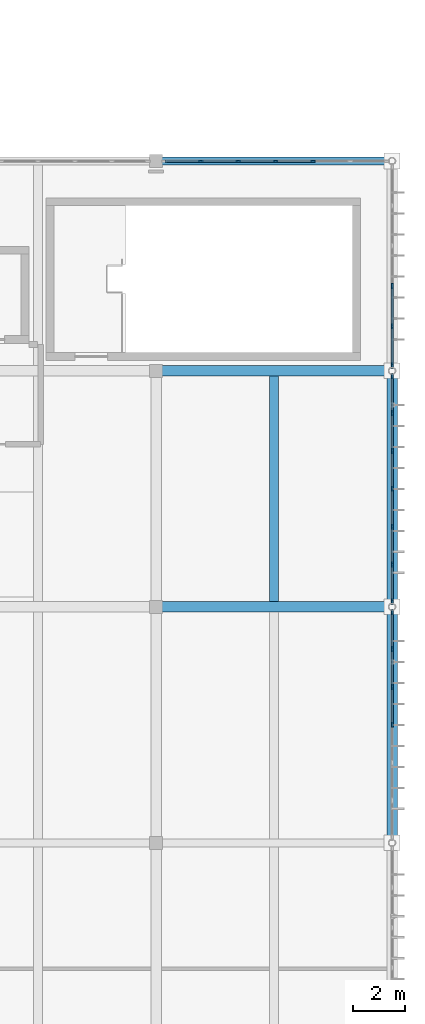
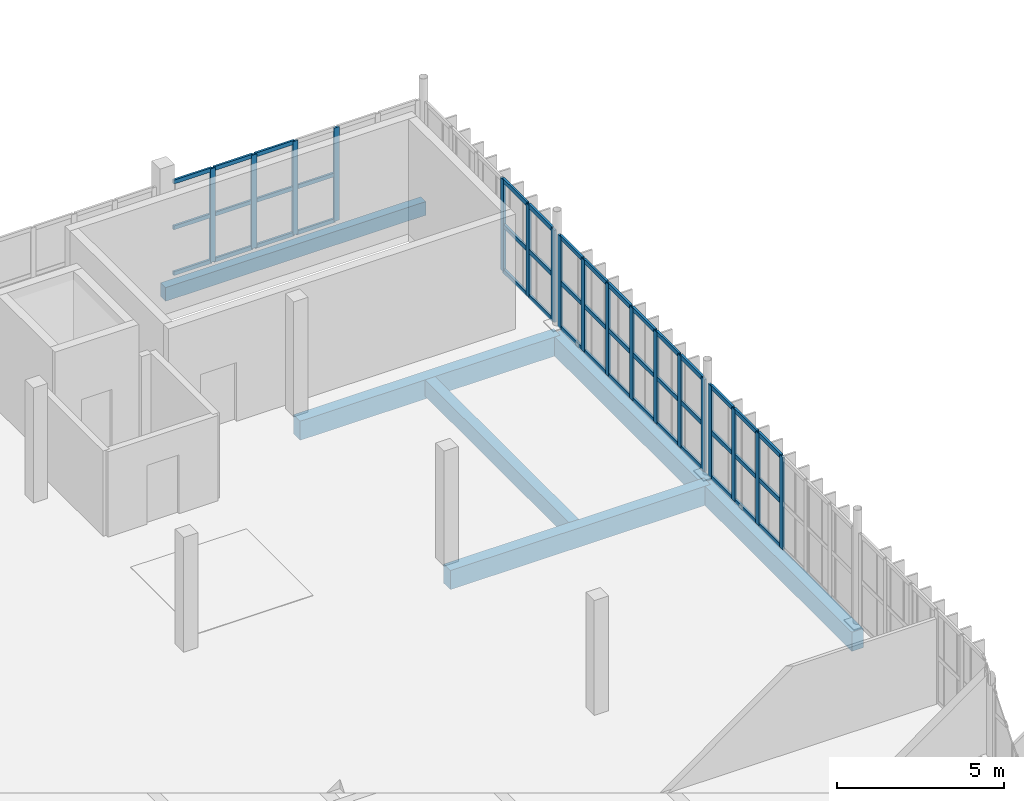
# One storey, part 29 of 61: 62 members, 6 beams, 4 elements without a shape of their own.
"""IFC4 building model written with IfcOpenShell, lengths in metres."""

from ifc_helpers import new_model, si_unit, direction, frame, origin, origin_2d, place, context, subcontext, project, spatial, rectangle, extrude, material, material_profile, profile_set, type_object, element, aggregate, save


model = new_model("IFC4")

# Units and contexts
model_context = context("Model", 3, precision=1e-05, world=origin(), true_north=direction((0.0, 1.0)))
body_context = subcontext(model_context, "Body", "Model", "MODEL_VIEW")
ifc_project = project(units=[si_unit("LENGTHUNIT", "METRE"), si_unit("AREAUNIT", "SQUARE_METRE"), si_unit("VOLUMEUNIT", "CUBIC_METRE"), si_unit("PLANEANGLEUNIT", "RADIAN"), si_unit("MASSUNIT", "GRAM", prefix="KILO")], contexts=[model_context])

# Site, building, storey
site_placement = place(None, origin())
site = spatial("IfcSite", under=ifc_project, at=site_placement, CompositionType="ELEMENT")
building_placement = place(site_placement, origin())
building = spatial("IfcBuilding", under=site, at=building_placement, Name="Vourika Railside Aquatics Centre", CompositionType="ELEMENT")
storey_placement = place(building_placement, frame((0.0, 0.0, 9.300048828125)))
storey = spatial("IfcBuildingStorey", under=building, at=storey_placement, Name="L02", CompositionType="ELEMENT", Elevation=9.300048828125)

# Beams
ifc_material_1 = material(Name="Concrete C35/45", Category="concrete")
ifc_material_profile_1 = material_profile(ifc_material_1, rectangle(XDim=0.39990234375, YDim=0.699951171875, at=origin_2d()), Name="RC 400x700")
ifc_profile_set_1 = profile_set([ifc_material_profile_1], Name="Concrete C35/45")
beam_type_1 = type_object("IfcBeamType", Name="BM-GIRD-400x700", PredefinedType="BEAM", material=ifc_profile_set_1)
for number, where, z_axis, x_axis, name in (
    (1, (159.0, 75.0, -0.630126953125), (1.0, 0.0, 0.0), (0.0, 1.0, 0.0), "Floor Beam GX-L02-078"),
    (2, (159.0, 84.0, -0.630126953125), (1.0, 0.0, 0.0), (0.0, 1.0, 0.0), "Floor Beam GX-L02-083"),
    (3, (168.0, 66.0, -0.630126953125), (0.0, 1.0, 0.0), (-1.0, 0.0, 0.0), "Floor Girder GY-L02-284"),
    (4, (168.0, 75.0, -0.630126953125), (0.0, 1.0, 0.0), (-1.0, 0.0, 0.0), "Floor Girder GY-L02-285"),
):
    element("IfcBeam", number, at=place(storey_placement, frame(where, z_axis=z_axis, x_axis=x_axis)), inside=storey, type_object=beam_type_1, Name=name, PredefinedType="BEAM", context=body_context, shape_type="SweptSolid", body=[
        extrude(rectangle(XDim=0.39990234375, YDim=0.699951171875, at=origin_2d()), origin(), (0.0, 0.0, 1.0), 9.0),
    ])
ifc_material_profile_2 = material_profile(ifc_material_1, rectangle(XDim=0.35009765625, YDim=0.60009765625, at=origin_2d()), Name="RC 350x600")
ifc_profile_set_2 = profile_set([ifc_material_profile_2], Name="Concrete C35/45")
beam_type_2 = type_object("IfcBeamType", Name="BM-SEC-350x600", PredefinedType="JOIST", material=ifc_profile_set_2)
beam_1_placement = place(storey_placement, frame((163.5, 75.199951171875, -0.580078125), z_axis=(0.0, 1.0, 0.0), x_axis=(-1.0, 0.0, 0.0)))
element("IfcBeam", 5, at=beam_1_placement, inside=storey, type_object=beam_type_2, Name="Secondary Joist JY-L02-329", PredefinedType="JOIST", context=body_context, shape_type="SweptSolid", body=[
    extrude(rectangle(XDim=0.35009765625, YDim=0.60009765625, at=origin_2d()), origin(), (0.0, 0.0, 1.0), 8.60009765625),
])
ifc_material_profile_3 = material_profile(ifc_material_1, rectangle(XDim=0.300048828125, YDim=0.5, at=origin_2d()), Name="RC 300x500")
ifc_profile_set_3 = profile_set([ifc_material_profile_3], Name="Concrete C35/45")
beam_type_3 = type_object("IfcBeamType", Name="BM-SPAN-300x500", PredefinedType="SPANDREL", material=ifc_profile_set_3)
beam_2_placement = place(storey_placement, frame((159.0, 92.0, -0.530029296875), z_axis=(1.0, 0.0, 0.0), x_axis=(0.0, 1.0, 0.0)))
element("IfcBeam", 6, at=beam_2_placement, inside=storey, type_object=beam_type_3, Name="Floor Beam GX-L02-102", PredefinedType="SPANDREL", context=body_context, shape_type="SweptSolid", body=[
    extrude(rectangle(XDim=0.300048828125, YDim=0.5, at=origin_2d()), origin(), (0.0, 0.0, 1.0), 9.0),
])

# Curtain wall, members
ifc_material_2 = material(Name="Anodized thermally broken aluminium", Category="aluminium")
curtain_wall_type_1 = type_object("IfcCurtainWallType", Name="CW-FOYE", PredefinedType="NOTDEFINED", material=ifc_material_2)
curtain_wall_1_placement = place(storey_placement, origin())
curtain_wall_1 = element("IfcCurtainWall", 7, at=curtain_wall_1_placement, inside=storey, type_object=curtain_wall_type_1, Name="East Arrival Facade Curtain Wall L02-4", PredefinedType="NOTDEFINED")
ifc_material_3 = material(Name="Anodized aluminium mullion", Category="aluminium")
ifc_material_profile_4 = material_profile(ifc_material_3, rectangle(XDim=0.074951171875, YDim=0.199951171875, at=origin_2d()), Name="ALU-M 75x200")
ifc_profile_set_4 = profile_set([ifc_material_profile_4], Name="Anodized aluminium mullion")
member_type_1 = type_object("IfcMemberType", Name="CWM-FOYE", PredefinedType="MULLION", material=ifc_profile_set_4)
member_1_placement = place(storey_placement, frame((168.0, 70.5, 0.0), z_axis=(0.0, 0.0, 1.0), x_axis=(-1.0, 0.0, 0.0)))
member_1 = element("IfcMember", 8, at=member_1_placement, type_object=member_type_1, Name="CW10 mullion 4", PredefinedType="MULLION", context=body_context, shape_type="SweptSolid", body=[
    extrude(rectangle(XDim=0.074951171875, YDim=0.199951171875, at=origin_2d()), origin(), (0.0, 0.0, 1.0), 3.369873046875),
])
member_2_placement = place(storey_placement, frame((168.0, 71.944580078125, 0.0), z_axis=(0.0, 0.0, 1.0), x_axis=(-1.0, 0.0, 0.0)))
member_2 = element("IfcMember", 9, at=member_2_placement, type_object=member_type_1, Name="CW10 mullion 5", PredefinedType="MULLION", context=body_context, shape_type="SweptSolid", body=[
    extrude(rectangle(XDim=0.074951171875, YDim=0.199951171875, at=origin_2d()), origin(), (0.0, 0.0, 1.0), 3.369873046875),
])
member_3_placement = place(storey_placement, frame((168.0, 73.388916015625, 0.0), z_axis=(0.0, 0.0, 1.0), x_axis=(-1.0, 0.0, 0.0)))
member_3 = element("IfcMember", 10, at=member_3_placement, type_object=member_type_1, Name="CW10 mullion 6", PredefinedType="MULLION", context=body_context, shape_type="SweptSolid", body=[
    extrude(rectangle(XDim=0.074951171875, YDim=0.199951171875, at=origin_2d()), origin(), (0.0, 0.0, 1.0), 3.369873046875),
])
member_4_placement = place(storey_placement, frame((168.0, 74.7958984375, 0.0), z_axis=(0.0, 0.0, 1.0), x_axis=(-1.0, 0.0, 0.0)))
member_4 = element("IfcMember", 11, at=member_4_placement, type_object=member_type_1, Name="CW10 mullion 7", PredefinedType="MULLION", context=body_context, shape_type="SweptSolid", body=[
    extrude(rectangle(XDim=0.074951171875, YDim=0.199951171875, at=origin_2d()), origin(), (0.0, 0.0, 1.0), 3.369873046875),
])

curtain_wall_2_placement = place(storey_placement, origin())
curtain_wall_2 = element("IfcCurtainWall", 12, at=curtain_wall_2_placement, inside=storey, type_object=curtain_wall_type_1, Name="East Arrival Facade Curtain Wall L02-5", PredefinedType="NOTDEFINED")
member_5_placement = place(storey_placement, frame((168.0, 75.2041015625, 0.0), z_axis=(0.0, 0.0, 1.0), x_axis=(-1.0, 0.0, 0.0)))
member_5 = element("IfcMember", 13, at=member_5_placement, type_object=member_type_1, Name="CW10 mullion 1", PredefinedType="MULLION", context=body_context, shape_type="SweptSolid", body=[
    extrude(rectangle(XDim=0.074951171875, YDim=0.199951171875, at=origin_2d()), origin(), (0.0, 0.0, 1.0), 3.369873046875),
])
member_6_placement = place(storey_placement, frame((168.0, 76.611083984375, 0.0), z_axis=(0.0, 0.0, 1.0), x_axis=(-1.0, 0.0, 0.0)))
member_6 = element("IfcMember", 14, at=member_6_placement, type_object=member_type_1, Name="CW10 mullion 2", PredefinedType="MULLION", context=body_context, shape_type="SweptSolid", body=[
    extrude(rectangle(XDim=0.074951171875, YDim=0.199951171875, at=origin_2d()), origin(), (0.0, 0.0, 1.0), 3.369873046875),
])
member_7_placement = place(storey_placement, frame((168.0, 78.055419921875, 0.0), z_axis=(0.0, 0.0, 1.0), x_axis=(-1.0, 0.0, 0.0)))
member_7 = element("IfcMember", 15, at=member_7_placement, type_object=member_type_1, Name="CW10 mullion 3", PredefinedType="MULLION", context=body_context, shape_type="SweptSolid", body=[
    extrude(rectangle(XDim=0.074951171875, YDim=0.199951171875, at=origin_2d()), origin(), (0.0, 0.0, 1.0), 3.369873046875),
])
member_8_placement = place(storey_placement, frame((168.0, 79.5, 0.0), z_axis=(0.0, 0.0, 1.0), x_axis=(-1.0, 0.0, 0.0)))
member_8 = element("IfcMember", 16, at=member_8_placement, type_object=member_type_1, Name="CW10 mullion 4", PredefinedType="MULLION", context=body_context, shape_type="SweptSolid", body=[
    extrude(rectangle(XDim=0.074951171875, YDim=0.199951171875, at=origin_2d()), origin(), (0.0, 0.0, 1.0), 3.369873046875),
])
member_9_placement = place(storey_placement, frame((168.0, 80.944580078125, 0.0), z_axis=(0.0, 0.0, 1.0), x_axis=(-1.0, 0.0, 0.0)))
member_9 = element("IfcMember", 17, at=member_9_placement, type_object=member_type_1, Name="CW10 mullion 5", PredefinedType="MULLION", context=body_context, shape_type="SweptSolid", body=[
    extrude(rectangle(XDim=0.074951171875, YDim=0.199951171875, at=origin_2d()), origin(), (0.0, 0.0, 1.0), 3.369873046875),
])
member_10_placement = place(storey_placement, frame((168.0, 82.388916015625, 0.0), z_axis=(0.0, 0.0, 1.0), x_axis=(-1.0, 0.0, 0.0)))
member_10 = element("IfcMember", 18, at=member_10_placement, type_object=member_type_1, Name="CW10 mullion 6", PredefinedType="MULLION", context=body_context, shape_type="SweptSolid", body=[
    extrude(rectangle(XDim=0.074951171875, YDim=0.199951171875, at=origin_2d()), origin(), (0.0, 0.0, 1.0), 3.369873046875),
])
member_11_placement = place(storey_placement, frame((168.0, 83.7958984375, 0.0), z_axis=(0.0, 0.0, 1.0), x_axis=(-1.0, 0.0, 0.0)))
member_11 = element("IfcMember", 19, at=member_11_placement, type_object=member_type_1, Name="CW10 mullion 7", PredefinedType="MULLION", context=body_context, shape_type="SweptSolid", body=[
    extrude(rectangle(XDim=0.074951171875, YDim=0.199951171875, at=origin_2d()), origin(), (0.0, 0.0, 1.0), 3.369873046875),
])

curtain_wall_3_placement = place(storey_placement, origin())
curtain_wall_3 = element("IfcCurtainWall", 20, at=curtain_wall_3_placement, inside=storey, type_object=curtain_wall_type_1, Name="East Arrival Facade Curtain Wall L02-6", PredefinedType="NOTDEFINED")
member_12_placement = place(storey_placement, frame((168.0, 84.2041015625, 0.0), z_axis=(0.0, 0.0, 1.0), x_axis=(-1.0, 0.0, 0.0)))
member_12 = element("IfcMember", 21, at=member_12_placement, type_object=member_type_1, Name="CW10 mullion 1", PredefinedType="MULLION", context=body_context, shape_type="SweptSolid", body=[
    extrude(rectangle(XDim=0.074951171875, YDim=0.199951171875, at=origin_2d()), origin(), (0.0, 0.0, 1.0), 3.369873046875),
])
member_13_placement = place(storey_placement, frame((168.0, 85.699951171875, 0.0), z_axis=(0.0, 0.0, 1.0), x_axis=(-1.0, 0.0, 0.0)))
member_13 = element("IfcMember", 22, at=member_13_placement, type_object=member_type_1, Name="CW10 mullion 2", PredefinedType="MULLION", context=body_context, shape_type="SweptSolid", body=[
    extrude(rectangle(XDim=0.074951171875, YDim=0.199951171875, at=origin_2d()), origin(), (0.0, 0.0, 1.0), 3.369873046875),
])
member_14_placement = place(storey_placement, frame((168.0, 87.2333984375, 0.0), z_axis=(0.0, 0.0, 1.0), x_axis=(-1.0, 0.0, 0.0)))
member_14 = element("IfcMember", 23, at=member_14_placement, type_object=member_type_1, Name="CW10 mullion 3", PredefinedType="MULLION", context=body_context, shape_type="SweptSolid", body=[
    extrude(rectangle(XDim=0.074951171875, YDim=0.199951171875, at=origin_2d()), origin(), (0.0, 0.0, 1.0), 3.369873046875),
])

curtain_wall_type_2 = type_object("IfcCurtainWallType", Name="CW-FOYS", PredefinedType="NOTDEFINED", material=ifc_material_2)
curtain_wall_4_placement = place(storey_placement, origin())
curtain_wall_4 = element("IfcCurtainWall", 24, at=curtain_wall_4_placement, inside=storey, type_object=curtain_wall_type_2, Name="Foyer North Glazed Facade L02-3", PredefinedType="NOTDEFINED")
ifc_material_profile_5 = material_profile(ifc_material_3, rectangle(XDim=0.072021484375, YDim=0.181884765625, at=origin_2d()), Name="ALU-M 72x182")
ifc_profile_set_5 = profile_set([ifc_material_profile_5], Name="Anodized aluminium mullion")
member_type_2 = type_object("IfcMemberType", Name="CWM-FOYS", PredefinedType="MULLION", material=ifc_profile_set_5)
member_15_placement = place(storey_placement, frame((164.982421875, 92.0, 0.0), z_axis=(0.0, 0.0, 1.0), x_axis=(0.0, -1.0, 0.0)))
member_15 = element("IfcMember", 25, at=member_15_placement, type_object=member_type_2, Name="CW11 mullion 3", PredefinedType="MULLION", context=body_context, shape_type="SweptSolid", body=[
    extrude(rectangle(XDim=0.072021484375, YDim=0.181884765625, at=origin_2d()), origin(), (0.0, 0.0, 1.0), 3.419921875),
])
member_16_placement = place(storey_placement, frame((163.556640625, 92.0, 0.0), z_axis=(0.0, 0.0, 1.0), x_axis=(0.0, -1.0, 0.0)))
member_16 = element("IfcMember", 26, at=member_16_placement, type_object=member_type_2, Name="CW11 mullion 4", PredefinedType="MULLION", context=body_context, shape_type="SweptSolid", body=[
    extrude(rectangle(XDim=0.072021484375, YDim=0.181884765625, at=origin_2d()), origin(), (0.0, 0.0, 1.0), 3.419921875),
])
member_17_placement = place(storey_placement, frame((162.131103515625, 92.0, 0.0), z_axis=(0.0, 0.0, 1.0), x_axis=(0.0, -1.0, 0.0)))
member_17 = element("IfcMember", 27, at=member_17_placement, type_object=member_type_2, Name="CW11 mullion 5", PredefinedType="MULLION", context=body_context, shape_type="SweptSolid", body=[
    extrude(rectangle(XDim=0.072021484375, YDim=0.181884765625, at=origin_2d()), origin(), (0.0, 0.0, 1.0), 3.419921875),
])
member_18_placement = place(storey_placement, frame((160.70556640625, 92.0, 0.0), z_axis=(0.0, 0.0, 1.0), x_axis=(0.0, -1.0, 0.0)))
member_18 = element("IfcMember", 28, at=member_18_placement, type_object=member_type_2, Name="CW11 mullion 6", PredefinedType="MULLION", context=body_context, shape_type="SweptSolid", body=[
    extrude(rectangle(XDim=0.072021484375, YDim=0.181884765625, at=origin_2d()), origin(), (0.0, 0.0, 1.0), 3.419921875),
])

# Member
ifc_material_4 = material(Name="Anodized aluminium transom", Category="aluminium")
ifc_material_profile_6 = material_profile(ifc_material_4, rectangle(XDim=0.074951171875, YDim=0.157958984375, at=origin_2d()), Name="ALU-T 75x158")
ifc_profile_set_6 = profile_set([ifc_material_profile_6], Name="Anodized aluminium transom")
member_type_3 = type_object("IfcMemberType", Name="CWT-FOYE", PredefinedType="USERDEFINED", material=ifc_profile_set_6)
member_19_placement = place(storey_placement, frame((168.0, 70.53759765625, 0.037353515625), z_axis=(0.0, 1.0, 0.0), x_axis=(-1.0, 0.0, 0.0)))
member_19 = element("IfcMember", 29, at=member_19_placement, type_object=member_type_3, Name="CW10 transom 4.1", ObjectType="TRANSOM", PredefinedType="USERDEFINED", context=body_context, shape_type="SweptSolid", body=[
    extrude(rectangle(XDim=0.074951171875, YDim=0.157958984375, at=origin_2d()), origin(), (0.0, 0.0, 1.0), 1.369384765625),
])

member_20_placement = place(storey_placement, frame((168.0, 70.53759765625, 1.68505859375), z_axis=(0.0, 1.0, 0.0), x_axis=(-1.0, 0.0, 0.0)))
member_20 = element("IfcMember", 30, at=member_20_placement, type_object=member_type_3, Name="CW10 transom 4.2", ObjectType="TRANSOM", PredefinedType="USERDEFINED", context=body_context, shape_type="SweptSolid", body=[
    extrude(rectangle(XDim=0.074951171875, YDim=0.157958984375, at=origin_2d()), origin(), (0.0, 0.0, 1.0), 1.369384765625),
])

member_21_placement = place(storey_placement, frame((168.0, 70.53759765625, 3.33251953125), z_axis=(0.0, 1.0, 0.0), x_axis=(-1.0, 0.0, 0.0)))
member_21 = element("IfcMember", 31, at=member_21_placement, type_object=member_type_3, Name="CW10 transom 4.3", ObjectType="TRANSOM", PredefinedType="USERDEFINED", context=body_context, shape_type="SweptSolid", body=[
    extrude(rectangle(XDim=0.074951171875, YDim=0.157958984375, at=origin_2d()), origin(), (0.0, 0.0, 1.0), 1.369384765625),
])

member_22_placement = place(storey_placement, frame((168.0, 71.98193359375, 0.037353515625), z_axis=(0.0, 1.0, 0.0), x_axis=(-1.0, 0.0, 0.0)))
member_22 = element("IfcMember", 32, at=member_22_placement, type_object=member_type_3, Name="CW10 transom 5.1", ObjectType="TRANSOM", PredefinedType="USERDEFINED", context=body_context, shape_type="SweptSolid", body=[
    extrude(rectangle(XDim=0.074951171875, YDim=0.157958984375, at=origin_2d()), origin(), (0.0, 0.0, 1.0), 1.36962890625),
])

member_23_placement = place(storey_placement, frame((168.0, 71.98193359375, 1.68505859375), z_axis=(0.0, 1.0, 0.0), x_axis=(-1.0, 0.0, 0.0)))
member_23 = element("IfcMember", 33, at=member_23_placement, type_object=member_type_3, Name="CW10 transom 5.2", ObjectType="TRANSOM", PredefinedType="USERDEFINED", context=body_context, shape_type="SweptSolid", body=[
    extrude(rectangle(XDim=0.074951171875, YDim=0.157958984375, at=origin_2d()), origin(), (0.0, 0.0, 1.0), 1.36962890625),
])

member_24_placement = place(storey_placement, frame((168.0, 71.98193359375, 3.33251953125), z_axis=(0.0, 1.0, 0.0), x_axis=(-1.0, 0.0, 0.0)))
member_24 = element("IfcMember", 34, at=member_24_placement, type_object=member_type_3, Name="CW10 transom 5.3", ObjectType="TRANSOM", PredefinedType="USERDEFINED", context=body_context, shape_type="SweptSolid", body=[
    extrude(rectangle(XDim=0.074951171875, YDim=0.157958984375, at=origin_2d()), origin(), (0.0, 0.0, 1.0), 1.36962890625),
])

member_25_placement = place(storey_placement, frame((168.0, 73.426513671875, 0.037353515625), z_axis=(0.0, 1.0, 0.0), x_axis=(-1.0, 0.0, 0.0)))
member_25 = element("IfcMember", 35, at=member_25_placement, type_object=member_type_3, Name="CW10 transom 6.1", ObjectType="TRANSOM", PredefinedType="USERDEFINED", context=body_context, shape_type="SweptSolid", body=[
    extrude(rectangle(XDim=0.074951171875, YDim=0.157958984375, at=origin_2d()), origin(), (0.0, 0.0, 1.0), 1.33203125),
])

member_26_placement = place(storey_placement, frame((168.0, 73.426513671875, 1.68505859375), z_axis=(0.0, 1.0, 0.0), x_axis=(-1.0, 0.0, 0.0)))
member_26 = element("IfcMember", 36, at=member_26_placement, type_object=member_type_3, Name="CW10 transom 6.2", ObjectType="TRANSOM", PredefinedType="USERDEFINED", context=body_context, shape_type="SweptSolid", body=[
    extrude(rectangle(XDim=0.074951171875, YDim=0.157958984375, at=origin_2d()), origin(), (0.0, 0.0, 1.0), 1.33203125),
])

member_27_placement = place(storey_placement, frame((168.0, 73.426513671875, 3.33251953125), z_axis=(0.0, 1.0, 0.0), x_axis=(-1.0, 0.0, 0.0)))
member_27 = element("IfcMember", 37, at=member_27_placement, type_object=member_type_3, Name="CW10 transom 6.3", ObjectType="TRANSOM", PredefinedType="USERDEFINED", context=body_context, shape_type="SweptSolid", body=[
    extrude(rectangle(XDim=0.074951171875, YDim=0.157958984375, at=origin_2d()), origin(), (0.0, 0.0, 1.0), 1.33203125),
])

aggregate(curtain_wall_1, [member_1, member_2, member_3, member_4, member_19, member_20, member_21, member_22, member_23, member_24, member_25, member_26, member_27])

member_28_placement = place(storey_placement, frame((168.0, 75.241455078125, 0.037353515625), z_axis=(0.0, 1.0, 0.0), x_axis=(-1.0, 0.0, 0.0)))
member_28 = element("IfcMember", 38, at=member_28_placement, type_object=member_type_3, Name="CW10 transom 1.1", ObjectType="TRANSOM", PredefinedType="USERDEFINED", context=body_context, shape_type="SweptSolid", body=[
    extrude(rectangle(XDim=0.074951171875, YDim=0.157958984375, at=origin_2d()), origin(), (0.0, 0.0, 1.0), 1.33203125),
])

member_29_placement = place(storey_placement, frame((168.0, 75.241455078125, 1.68505859375), z_axis=(0.0, 1.0, 0.0), x_axis=(-1.0, 0.0, 0.0)))
member_29 = element("IfcMember", 39, at=member_29_placement, type_object=member_type_3, Name="CW10 transom 1.2", ObjectType="TRANSOM", PredefinedType="USERDEFINED", context=body_context, shape_type="SweptSolid", body=[
    extrude(rectangle(XDim=0.074951171875, YDim=0.157958984375, at=origin_2d()), origin(), (0.0, 0.0, 1.0), 1.33203125),
])

member_30_placement = place(storey_placement, frame((168.0, 75.241455078125, 3.33251953125), z_axis=(0.0, 1.0, 0.0), x_axis=(-1.0, 0.0, 0.0)))
member_30 = element("IfcMember", 40, at=member_30_placement, type_object=member_type_3, Name="CW10 transom 1.3", ObjectType="TRANSOM", PredefinedType="USERDEFINED", context=body_context, shape_type="SweptSolid", body=[
    extrude(rectangle(XDim=0.074951171875, YDim=0.157958984375, at=origin_2d()), origin(), (0.0, 0.0, 1.0), 1.33203125),
])

member_31_placement = place(storey_placement, frame((168.0, 76.6484375, 0.037353515625), z_axis=(0.0, 1.0, 0.0), x_axis=(-1.0, 0.0, 0.0)))
member_31 = element("IfcMember", 41, at=member_31_placement, type_object=member_type_3, Name="CW10 transom 2.1", ObjectType="TRANSOM", PredefinedType="USERDEFINED", context=body_context, shape_type="SweptSolid", body=[
    extrude(rectangle(XDim=0.074951171875, YDim=0.157958984375, at=origin_2d()), origin(), (0.0, 0.0, 1.0), 1.36962890625),
])

member_32_placement = place(storey_placement, frame((168.0, 76.6484375, 1.68505859375), z_axis=(0.0, 1.0, 0.0), x_axis=(-1.0, 0.0, 0.0)))
member_32 = element("IfcMember", 42, at=member_32_placement, type_object=member_type_3, Name="CW10 transom 2.2", ObjectType="TRANSOM", PredefinedType="USERDEFINED", context=body_context, shape_type="SweptSolid", body=[
    extrude(rectangle(XDim=0.074951171875, YDim=0.157958984375, at=origin_2d()), origin(), (0.0, 0.0, 1.0), 1.36962890625),
])

member_33_placement = place(storey_placement, frame((168.0, 76.6484375, 3.33251953125), z_axis=(0.0, 1.0, 0.0), x_axis=(-1.0, 0.0, 0.0)))
member_33 = element("IfcMember", 43, at=member_33_placement, type_object=member_type_3, Name="CW10 transom 2.3", ObjectType="TRANSOM", PredefinedType="USERDEFINED", context=body_context, shape_type="SweptSolid", body=[
    extrude(rectangle(XDim=0.074951171875, YDim=0.157958984375, at=origin_2d()), origin(), (0.0, 0.0, 1.0), 1.36962890625),
])

member_34_placement = place(storey_placement, frame((168.0, 78.093017578125, 0.037353515625), z_axis=(0.0, 1.0, 0.0), x_axis=(-1.0, 0.0, 0.0)))
member_34 = element("IfcMember", 44, at=member_34_placement, type_object=member_type_3, Name="CW10 transom 3.1", ObjectType="TRANSOM", PredefinedType="USERDEFINED", context=body_context, shape_type="SweptSolid", body=[
    extrude(rectangle(XDim=0.074951171875, YDim=0.157958984375, at=origin_2d()), origin(), (0.0, 0.0, 1.0), 1.369384765625),
])

member_35_placement = place(storey_placement, frame((168.0, 78.093017578125, 1.68505859375), z_axis=(0.0, 1.0, 0.0), x_axis=(-1.0, 0.0, 0.0)))
member_35 = element("IfcMember", 45, at=member_35_placement, type_object=member_type_3, Name="CW10 transom 3.2", ObjectType="TRANSOM", PredefinedType="USERDEFINED", context=body_context, shape_type="SweptSolid", body=[
    extrude(rectangle(XDim=0.074951171875, YDim=0.157958984375, at=origin_2d()), origin(), (0.0, 0.0, 1.0), 1.369384765625),
])

member_36_placement = place(storey_placement, frame((168.0, 78.093017578125, 3.33251953125), z_axis=(0.0, 1.0, 0.0), x_axis=(-1.0, 0.0, 0.0)))
member_36 = element("IfcMember", 46, at=member_36_placement, type_object=member_type_3, Name="CW10 transom 3.3", ObjectType="TRANSOM", PredefinedType="USERDEFINED", context=body_context, shape_type="SweptSolid", body=[
    extrude(rectangle(XDim=0.074951171875, YDim=0.157958984375, at=origin_2d()), origin(), (0.0, 0.0, 1.0), 1.369384765625),
])

member_37_placement = place(storey_placement, frame((168.0, 79.53759765625, 0.037353515625), z_axis=(0.0, 1.0, 0.0), x_axis=(-1.0, 0.0, 0.0)))
member_37 = element("IfcMember", 47, at=member_37_placement, type_object=member_type_3, Name="CW10 transom 4.1", ObjectType="TRANSOM", PredefinedType="USERDEFINED", context=body_context, shape_type="SweptSolid", body=[
    extrude(rectangle(XDim=0.074951171875, YDim=0.157958984375, at=origin_2d()), origin(), (0.0, 0.0, 1.0), 1.369384765625),
])

member_38_placement = place(storey_placement, frame((168.0, 79.53759765625, 1.68505859375), z_axis=(0.0, 1.0, 0.0), x_axis=(-1.0, 0.0, 0.0)))
member_38 = element("IfcMember", 48, at=member_38_placement, type_object=member_type_3, Name="CW10 transom 4.2", ObjectType="TRANSOM", PredefinedType="USERDEFINED", context=body_context, shape_type="SweptSolid", body=[
    extrude(rectangle(XDim=0.074951171875, YDim=0.157958984375, at=origin_2d()), origin(), (0.0, 0.0, 1.0), 1.369384765625),
])

member_39_placement = place(storey_placement, frame((168.0, 79.53759765625, 3.33251953125), z_axis=(0.0, 1.0, 0.0), x_axis=(-1.0, 0.0, 0.0)))
member_39 = element("IfcMember", 49, at=member_39_placement, type_object=member_type_3, Name="CW10 transom 4.3", ObjectType="TRANSOM", PredefinedType="USERDEFINED", context=body_context, shape_type="SweptSolid", body=[
    extrude(rectangle(XDim=0.074951171875, YDim=0.157958984375, at=origin_2d()), origin(), (0.0, 0.0, 1.0), 1.369384765625),
])

member_40_placement = place(storey_placement, frame((168.0, 80.98193359375, 0.037353515625), z_axis=(0.0, 1.0, 0.0), x_axis=(-1.0, 0.0, 0.0)))
member_40 = element("IfcMember", 50, at=member_40_placement, type_object=member_type_3, Name="CW10 transom 5.1", ObjectType="TRANSOM", PredefinedType="USERDEFINED", context=body_context, shape_type="SweptSolid", body=[
    extrude(rectangle(XDim=0.074951171875, YDim=0.157958984375, at=origin_2d()), origin(), (0.0, 0.0, 1.0), 1.36962890625),
])

member_41_placement = place(storey_placement, frame((168.0, 80.98193359375, 1.68505859375), z_axis=(0.0, 1.0, 0.0), x_axis=(-1.0, 0.0, 0.0)))
member_41 = element("IfcMember", 51, at=member_41_placement, type_object=member_type_3, Name="CW10 transom 5.2", ObjectType="TRANSOM", PredefinedType="USERDEFINED", context=body_context, shape_type="SweptSolid", body=[
    extrude(rectangle(XDim=0.074951171875, YDim=0.157958984375, at=origin_2d()), origin(), (0.0, 0.0, 1.0), 1.36962890625),
])

member_42_placement = place(storey_placement, frame((168.0, 80.98193359375, 3.33251953125), z_axis=(0.0, 1.0, 0.0), x_axis=(-1.0, 0.0, 0.0)))
member_42 = element("IfcMember", 52, at=member_42_placement, type_object=member_type_3, Name="CW10 transom 5.3", ObjectType="TRANSOM", PredefinedType="USERDEFINED", context=body_context, shape_type="SweptSolid", body=[
    extrude(rectangle(XDim=0.074951171875, YDim=0.157958984375, at=origin_2d()), origin(), (0.0, 0.0, 1.0), 1.36962890625),
])

member_43_placement = place(storey_placement, frame((168.0, 82.426513671875, 0.037353515625), z_axis=(0.0, 1.0, 0.0), x_axis=(-1.0, 0.0, 0.0)))
member_43 = element("IfcMember", 53, at=member_43_placement, type_object=member_type_3, Name="CW10 transom 6.1", ObjectType="TRANSOM", PredefinedType="USERDEFINED", context=body_context, shape_type="SweptSolid", body=[
    extrude(rectangle(XDim=0.074951171875, YDim=0.157958984375, at=origin_2d()), origin(), (0.0, 0.0, 1.0), 1.33203125),
])

member_44_placement = place(storey_placement, frame((168.0, 82.426513671875, 1.68505859375), z_axis=(0.0, 1.0, 0.0), x_axis=(-1.0, 0.0, 0.0)))
member_44 = element("IfcMember", 54, at=member_44_placement, type_object=member_type_3, Name="CW10 transom 6.2", ObjectType="TRANSOM", PredefinedType="USERDEFINED", context=body_context, shape_type="SweptSolid", body=[
    extrude(rectangle(XDim=0.074951171875, YDim=0.157958984375, at=origin_2d()), origin(), (0.0, 0.0, 1.0), 1.33203125),
])

member_45_placement = place(storey_placement, frame((168.0, 82.426513671875, 3.33251953125), z_axis=(0.0, 1.0, 0.0), x_axis=(-1.0, 0.0, 0.0)))
member_45 = element("IfcMember", 55, at=member_45_placement, type_object=member_type_3, Name="CW10 transom 6.3", ObjectType="TRANSOM", PredefinedType="USERDEFINED", context=body_context, shape_type="SweptSolid", body=[
    extrude(rectangle(XDim=0.074951171875, YDim=0.157958984375, at=origin_2d()), origin(), (0.0, 0.0, 1.0), 1.33203125),
])

aggregate(curtain_wall_2, [member_5, member_6, member_7, member_8, member_9, member_10, member_11, member_28, member_29, member_30, member_31, member_32, member_33, member_34, member_35, member_36, member_37, member_38, member_39, member_40, member_41, member_42, member_43, member_44, member_45])

member_46_placement = place(storey_placement, frame((168.0, 84.241455078125, 0.037353515625), z_axis=(0.0, 1.0, 0.0), x_axis=(-1.0, 0.0, 0.0)))
member_46 = element("IfcMember", 56, at=member_46_placement, type_object=member_type_3, Name="CW10 transom 1.1", ObjectType="TRANSOM", PredefinedType="USERDEFINED", context=body_context, shape_type="SweptSolid", body=[
    extrude(rectangle(XDim=0.074951171875, YDim=0.157958984375, at=origin_2d()), origin(), (0.0, 0.0, 1.0), 1.4208984375),
])

member_47_placement = place(storey_placement, frame((168.0, 84.241455078125, 1.68505859375), z_axis=(0.0, 1.0, 0.0), x_axis=(-1.0, 0.0, 0.0)))
member_47 = element("IfcMember", 57, at=member_47_placement, type_object=member_type_3, Name="CW10 transom 1.2", ObjectType="TRANSOM", PredefinedType="USERDEFINED", context=body_context, shape_type="SweptSolid", body=[
    extrude(rectangle(XDim=0.074951171875, YDim=0.157958984375, at=origin_2d()), origin(), (0.0, 0.0, 1.0), 1.4208984375),
])

member_48_placement = place(storey_placement, frame((168.0, 84.241455078125, 3.33251953125), z_axis=(0.0, 1.0, 0.0), x_axis=(-1.0, 0.0, 0.0)))
member_48 = element("IfcMember", 58, at=member_48_placement, type_object=member_type_3, Name="CW10 transom 1.3", ObjectType="TRANSOM", PredefinedType="USERDEFINED", context=body_context, shape_type="SweptSolid", body=[
    extrude(rectangle(XDim=0.074951171875, YDim=0.157958984375, at=origin_2d()), origin(), (0.0, 0.0, 1.0), 1.4208984375),
])

member_49_placement = place(storey_placement, frame((168.0, 85.7373046875, 0.037353515625), z_axis=(0.0, 1.0, 0.0), x_axis=(-1.0, 0.0, 0.0)))
member_49 = element("IfcMember", 59, at=member_49_placement, type_object=member_type_3, Name="CW10 transom 2.1", ObjectType="TRANSOM", PredefinedType="USERDEFINED", context=body_context, shape_type="SweptSolid", body=[
    extrude(rectangle(XDim=0.074951171875, YDim=0.157958984375, at=origin_2d()), origin(), (0.0, 0.0, 1.0), 1.45849609375),
])

member_50_placement = place(storey_placement, frame((168.0, 85.7373046875, 1.68505859375), z_axis=(0.0, 1.0, 0.0), x_axis=(-1.0, 0.0, 0.0)))
member_50 = element("IfcMember", 60, at=member_50_placement, type_object=member_type_3, Name="CW10 transom 2.2", ObjectType="TRANSOM", PredefinedType="USERDEFINED", context=body_context, shape_type="SweptSolid", body=[
    extrude(rectangle(XDim=0.074951171875, YDim=0.157958984375, at=origin_2d()), origin(), (0.0, 0.0, 1.0), 1.45849609375),
])

member_51_placement = place(storey_placement, frame((168.0, 85.7373046875, 3.33251953125), z_axis=(0.0, 1.0, 0.0), x_axis=(-1.0, 0.0, 0.0)))
member_51 = element("IfcMember", 61, at=member_51_placement, type_object=member_type_3, Name="CW10 transom 2.3", ObjectType="TRANSOM", PredefinedType="USERDEFINED", context=body_context, shape_type="SweptSolid", body=[
    extrude(rectangle(XDim=0.074951171875, YDim=0.157958984375, at=origin_2d()), origin(), (0.0, 0.0, 1.0), 1.45849609375),
])

aggregate(curtain_wall_3, [member_12, member_13, member_14, member_46, member_47, member_48, member_49, member_50, member_51])

ifc_material_profile_7 = material_profile(ifc_material_4, rectangle(XDim=0.072021484375, YDim=0.14404296875, at=origin_2d()), Name="ALU-T 72x144")
ifc_profile_set_7 = profile_set([ifc_material_profile_7], Name="Anodized aluminium transom")
member_type_4 = type_object("IfcMemberType", Name="CWT-FOYS", PredefinedType="USERDEFINED", material=ifc_profile_set_7)
member_52_placement = place(storey_placement, frame((164.9462890625, 92.0, 0.035888671875), z_axis=(-1.0, 0.0, 0.0), x_axis=(0.0, -1.0, 0.0)))
member_52 = element("IfcMember", 62, at=member_52_placement, type_object=member_type_4, Name="CW11 transom 3.1", ObjectType="TRANSOM", PredefinedType="USERDEFINED", context=body_context, shape_type="SweptSolid", body=[
    extrude(rectangle(XDim=0.072021484375, YDim=0.14404296875, at=origin_2d()), origin(), (0.0, 0.0, 1.0), 1.353515625),
])

member_53_placement = place(storey_placement, frame((164.9462890625, 92.0, 1.7099609375), z_axis=(-1.0, 0.0, 0.0), x_axis=(0.0, -1.0, 0.0)))
member_53 = element("IfcMember", 63, at=member_53_placement, type_object=member_type_4, Name="CW11 transom 3.2", ObjectType="TRANSOM", PredefinedType="USERDEFINED", context=body_context, shape_type="SweptSolid", body=[
    extrude(rectangle(XDim=0.072021484375, YDim=0.14404296875, at=origin_2d()), origin(), (0.0, 0.0, 1.0), 1.353515625),
])

member_54_placement = place(storey_placement, frame((163.520751953125, 92.0, 0.035888671875), z_axis=(-1.0, 0.0, 0.0), x_axis=(0.0, -1.0, 0.0)))
member_54 = element("IfcMember", 64, at=member_54_placement, type_object=member_type_4, Name="CW11 transom 4.1", ObjectType="TRANSOM", PredefinedType="USERDEFINED", context=body_context, shape_type="SweptSolid", body=[
    extrude(rectangle(XDim=0.072021484375, YDim=0.14404296875, at=origin_2d()), origin(), (0.0, 0.0, 1.0), 1.353515625),
])

member_55_placement = place(storey_placement, frame((163.520751953125, 92.0, 1.7099609375), z_axis=(-1.0, 0.0, 0.0), x_axis=(0.0, -1.0, 0.0)))
member_55 = element("IfcMember", 65, at=member_55_placement, type_object=member_type_4, Name="CW11 transom 4.2", ObjectType="TRANSOM", PredefinedType="USERDEFINED", context=body_context, shape_type="SweptSolid", body=[
    extrude(rectangle(XDim=0.072021484375, YDim=0.14404296875, at=origin_2d()), origin(), (0.0, 0.0, 1.0), 1.353515625),
])

member_56_placement = place(storey_placement, frame((163.520751953125, 92.0, 3.384033203125), z_axis=(-1.0, 0.0, 0.0), x_axis=(0.0, -1.0, 0.0)))
member_56 = element("IfcMember", 66, at=member_56_placement, type_object=member_type_4, Name="CW11 transom 4.3", ObjectType="TRANSOM", PredefinedType="USERDEFINED", context=body_context, shape_type="SweptSolid", body=[
    extrude(rectangle(XDim=0.072021484375, YDim=0.14404296875, at=origin_2d()), origin(), (0.0, 0.0, 1.0), 1.353515625),
])

member_57_placement = place(storey_placement, frame((162.09521484375, 92.0, 0.035888671875), z_axis=(-1.0, 0.0, 0.0), x_axis=(0.0, -1.0, 0.0)))
member_57 = element("IfcMember", 67, at=member_57_placement, type_object=member_type_4, Name="CW11 transom 5.1", ObjectType="TRANSOM", PredefinedType="USERDEFINED", context=body_context, shape_type="SweptSolid", body=[
    extrude(rectangle(XDim=0.072021484375, YDim=0.14404296875, at=origin_2d()), origin(), (0.0, 0.0, 1.0), 1.353515625),
])

member_58_placement = place(storey_placement, frame((162.09521484375, 92.0, 1.7099609375), z_axis=(-1.0, 0.0, 0.0), x_axis=(0.0, -1.0, 0.0)))
member_58 = element("IfcMember", 68, at=member_58_placement, type_object=member_type_4, Name="CW11 transom 5.2", ObjectType="TRANSOM", PredefinedType="USERDEFINED", context=body_context, shape_type="SweptSolid", body=[
    extrude(rectangle(XDim=0.072021484375, YDim=0.14404296875, at=origin_2d()), origin(), (0.0, 0.0, 1.0), 1.353515625),
])

member_59_placement = place(storey_placement, frame((162.09521484375, 92.0, 3.384033203125), z_axis=(-1.0, 0.0, 0.0), x_axis=(0.0, -1.0, 0.0)))
member_59 = element("IfcMember", 69, at=member_59_placement, type_object=member_type_4, Name="CW11 transom 5.3", ObjectType="TRANSOM", PredefinedType="USERDEFINED", context=body_context, shape_type="SweptSolid", body=[
    extrude(rectangle(XDim=0.072021484375, YDim=0.14404296875, at=origin_2d()), origin(), (0.0, 0.0, 1.0), 1.353515625),
])

member_60_placement = place(storey_placement, frame((160.669677734375, 92.0, 0.035888671875), z_axis=(-1.0, 0.0, 0.0), x_axis=(0.0, -1.0, 0.0)))
member_60 = element("IfcMember", 70, at=member_60_placement, type_object=member_type_4, Name="CW11 transom 6.1", ObjectType="TRANSOM", PredefinedType="USERDEFINED", context=body_context, shape_type="SweptSolid", body=[
    extrude(rectangle(XDim=0.072021484375, YDim=0.14404296875, at=origin_2d()), origin(), (0.0, 0.0, 1.0), 1.317626953125),
])

member_61_placement = place(storey_placement, frame((160.669677734375, 92.0, 1.7099609375), z_axis=(-1.0, 0.0, 0.0), x_axis=(0.0, -1.0, 0.0)))
member_61 = element("IfcMember", 71, at=member_61_placement, type_object=member_type_4, Name="CW11 transom 6.2", ObjectType="TRANSOM", PredefinedType="USERDEFINED", context=body_context, shape_type="SweptSolid", body=[
    extrude(rectangle(XDim=0.072021484375, YDim=0.14404296875, at=origin_2d()), origin(), (0.0, 0.0, 1.0), 1.317626953125),
])

member_62_placement = place(storey_placement, frame((160.669677734375, 92.0, 3.384033203125), z_axis=(-1.0, 0.0, 0.0), x_axis=(0.0, -1.0, 0.0)))
member_62 = element("IfcMember", 72, at=member_62_placement, type_object=member_type_4, Name="CW11 transom 6.3", ObjectType="TRANSOM", PredefinedType="USERDEFINED", context=body_context, shape_type="SweptSolid", body=[
    extrude(rectangle(XDim=0.072021484375, YDim=0.14404296875, at=origin_2d()), origin(), (0.0, 0.0, 1.0), 1.317626953125),
])

aggregate(curtain_wall_4, [member_15, member_16, member_17, member_18, member_52, member_53, member_54, member_55, member_56, member_57, member_58, member_59, member_60, member_61, member_62])

save(model, "model.ifc")
